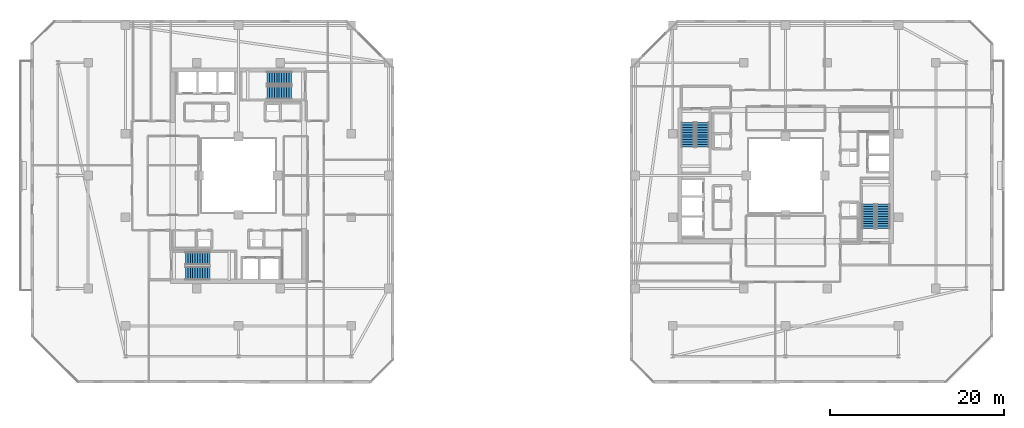
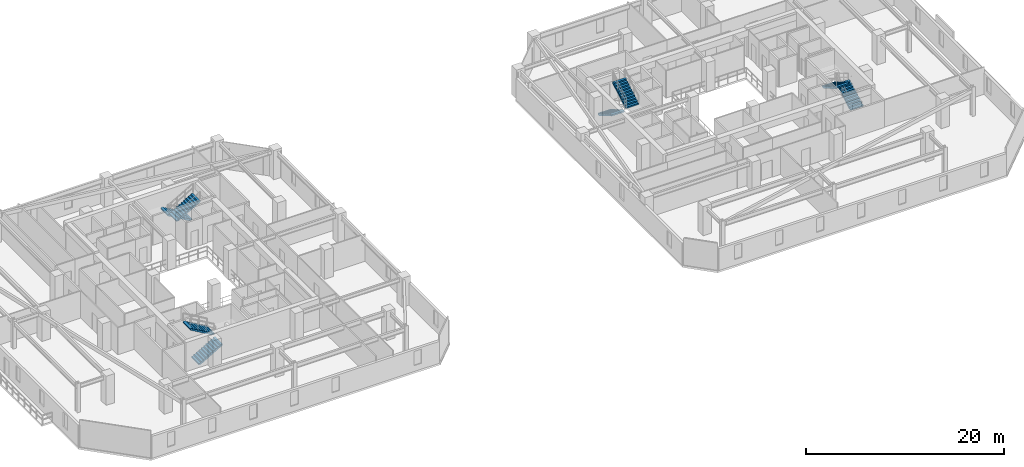
# One storey, part 26 of 32: 8 stair flights, 4 elements without a shape of their own.
"""IFC4 building model written with IfcOpenShell, lengths in metres."""

from ifc_helpers import new_model, si_unit, direction, frame, origin, place, context, subcontext, project, spatial, polyline, outline, extrude, material, type_object, element, aggregate, save


model = new_model("IFC4")

# Units and contexts
model_context = context("Model", 3, precision=1e-05, world=origin(), true_north=direction((0.0, 1.0)))
body_context = subcontext(model_context, "Body", "Model", "MODEL_VIEW")
ifc_project = project(units=[si_unit("LENGTHUNIT", "METRE"), si_unit("AREAUNIT", "SQUARE_METRE"), si_unit("VOLUMEUNIT", "CUBIC_METRE"), si_unit("PLANEANGLEUNIT", "RADIAN"), si_unit("MASSUNIT", "GRAM", prefix="KILO")], contexts=[model_context])

# Site, building, storey
site_placement = place(None, origin())
site = spatial("IfcSite", under=ifc_project, at=site_placement, CompositionType="ELEMENT")
building_placement = place(site_placement, origin())
building = spatial("IfcBuilding", under=site, at=building_placement, Name="Thornwick Lancets Civic Towers", CompositionType="ELEMENT")
storey_placement = place(building_placement, frame((0.0, 0.0, 240.300048828125)))
storey = spatial("IfcBuildingStorey", under=building, at=storey_placement, Name="L64", CompositionType="ELEMENT", Elevation=240.300048828125)

# Stair, stair flights
ifc_material = material(Name="Concrete C40/50", Category="concrete")
stair_type = type_object("IfcStairType", Name="STAIR_DL_3600", PredefinedType="HALF_TURN_STAIR", material=ifc_material)
stair_1_placement = place(storey_placement, origin())
stair_1 = element("IfcStair", 1, at=stair_1_placement, inside=storey, type_object=stair_type, Name="L64 Tower A South Exit Stair ST-A1", PredefinedType="HALF_TURN_STAIR")
stair_flight_type = type_object("IfcStairFlightType", Name="FLIGHT_3600", PredefinedType="STRAIGHT", material=ifc_material)
stair_flight_1_placement = place(storey_placement, frame((19.39990234375, 15.75, 0.0), z_axis=(0.0, 0.0, 1.0), x_axis=(1.0, 0.0, 0.0)))
stair_flight_1 = element("IfcStairFlight", 2, at=stair_flight_1_placement, type_object=stair_flight_type, Name="ST-A1 flight 1", NumberOfRisers=11, NumberOfTreads=10, PredefinedType="STRAIGHT", RiserHeight=0.163636364, TreadLength=0.28, context=body_context, shape_type="SweptSolid", body=[
    extrude(outline(polyline([(0.0, 0.0), (0.0, 0.16357421875), (0.280029296875, 0.16357421875), (0.280029296875, 0.327392578125), (0.56005859375, 0.327392578125), (0.56005859375, 0.490966796875), (0.840087890625, 0.490966796875), (0.840087890625, 0.654541015625), (1.1201171875, 0.654541015625), (1.1201171875, 0.818115234375), (1.39990234375, 0.818115234375), (1.39990234375, 0.98193359375), (1.679931640625, 0.98193359375), (1.679931640625, 1.1455078125), (1.9599609375, 1.1455078125), (1.9599609375, 1.30908203125), (2.239990234375, 1.30908203125), (2.239990234375, 1.47265625), (2.52001953125, 1.47265625), (2.52001953125, 1.636474609375), (2.800048828125, 1.636474609375), (2.800048828125, 1.800048828125), (2.800048828125, 1.462646484375), (0.297119140625, 0.0), (0.0, 0.0)])), frame((0.0, 0.75, 0.0), z_axis=(0.0, -1.0, 0.0), x_axis=(1.0, 0.0, 0.0)), (0.0, 0.0, 1.0), 1.5),
])
stair_flight_2_placement = place(storey_placement, frame((22.199951171875, 17.449951171875, 1.800048828125), z_axis=(0.0, 0.0, 1.0), x_axis=(-1.0, 0.0, 0.0)))
stair_flight_2 = element("IfcStairFlight", 3, at=stair_flight_2_placement, type_object=stair_flight_type, Name="ST-A1 flight 2", NumberOfRisers=11, NumberOfTreads=10, PredefinedType="STRAIGHT", RiserHeight=0.163636364, TreadLength=0.28, context=body_context, shape_type="SweptSolid", body=[
    extrude(outline(polyline([(0.0, 0.0), (0.0, 0.16357421875), (0.280029296875, 0.16357421875), (0.280029296875, 0.327392578125), (0.56005859375, 0.327392578125), (0.56005859375, 0.490966796875), (0.840087890625, 0.490966796875), (0.840087890625, 0.654541015625), (1.1201171875, 0.654541015625), (1.1201171875, 0.818115234375), (1.39990234375, 0.818115234375), (1.39990234375, 0.98193359375), (1.679931640625, 0.98193359375), (1.679931640625, 1.1455078125), (1.9599609375, 1.1455078125), (1.9599609375, 1.30908203125), (2.239990234375, 1.30908203125), (2.239990234375, 1.47265625), (2.52001953125, 1.47265625), (2.52001953125, 1.636474609375), (2.800048828125, 1.636474609375), (2.800048828125, 1.800048828125), (2.800048828125, 1.462646484375), (0.297119140625, 0.0), (0.0, 0.0)])), frame((0.0, 0.75, 0.0), z_axis=(0.0, -1.0, 0.0), x_axis=(1.0, 0.0, 0.0)), (0.0, 0.0, 1.0), 1.5),
])
aggregate(stair_1, [stair_flight_1, stair_flight_2])

stair_2_placement = place(storey_placement, origin())
stair_2 = element("IfcStair", 4, at=stair_2_placement, inside=storey, type_object=stair_type, Name="L64 Tower A North Exit Stair ST-A2", PredefinedType="HALF_TURN_STAIR")
stair_flight_3_placement = place(storey_placement, frame((31.60009765625, 38.25, 0.0), z_axis=(0.0, 0.0, 1.0), x_axis=(-1.0, 0.0, 0.0)))
stair_flight_3 = element("IfcStairFlight", 5, at=stair_flight_3_placement, type_object=stair_flight_type, Name="ST-A2 flight 1", NumberOfRisers=11, NumberOfTreads=10, PredefinedType="STRAIGHT", RiserHeight=0.163636364, TreadLength=0.28, context=body_context, shape_type="SweptSolid", body=[
    extrude(outline(polyline([(0.0, 0.0), (0.0, 0.16357421875), (0.280029296875, 0.16357421875), (0.280029296875, 0.327392578125), (0.56005859375, 0.327392578125), (0.56005859375, 0.490966796875), (0.840087890625, 0.490966796875), (0.840087890625, 0.654541015625), (1.1201171875, 0.654541015625), (1.1201171875, 0.818115234375), (1.39990234375, 0.818115234375), (1.39990234375, 0.98193359375), (1.679931640625, 0.98193359375), (1.679931640625, 1.1455078125), (1.9599609375, 1.1455078125), (1.9599609375, 1.30908203125), (2.239990234375, 1.30908203125), (2.239990234375, 1.47265625), (2.52001953125, 1.47265625), (2.52001953125, 1.636474609375), (2.800048828125, 1.636474609375), (2.800048828125, 1.800048828125), (2.800048828125, 1.462646484375), (0.297119140625, 0.0), (0.0, 0.0)])), frame((0.0, 0.75, 0.0), z_axis=(0.0, -1.0, 0.0), x_axis=(1.0, 0.0, 0.0)), (0.0, 0.0, 1.0), 1.5),
])
stair_flight_4_placement = place(storey_placement, frame((28.800048828125, 36.550048828125, 1.800048828125), z_axis=(0.0, 0.0, 1.0), x_axis=(1.0, 0.0, 0.0)))
stair_flight_4 = element("IfcStairFlight", 6, at=stair_flight_4_placement, type_object=stair_flight_type, Name="ST-A2 flight 2", NumberOfRisers=11, NumberOfTreads=10, PredefinedType="STRAIGHT", RiserHeight=0.163636364, TreadLength=0.28, context=body_context, shape_type="SweptSolid", body=[
    extrude(outline(polyline([(0.0, 0.0), (0.0, 0.16357421875), (0.280029296875, 0.16357421875), (0.280029296875, 0.327392578125), (0.56005859375, 0.327392578125), (0.56005859375, 0.490966796875), (0.840087890625, 0.490966796875), (0.840087890625, 0.654541015625), (1.1201171875, 0.654541015625), (1.1201171875, 0.818115234375), (1.39990234375, 0.818115234375), (1.39990234375, 0.98193359375), (1.679931640625, 0.98193359375), (1.679931640625, 1.1455078125), (1.9599609375, 1.1455078125), (1.9599609375, 1.30908203125), (2.239990234375, 1.30908203125), (2.239990234375, 1.47265625), (2.52001953125, 1.47265625), (2.52001953125, 1.636474609375), (2.800048828125, 1.636474609375), (2.800048828125, 1.800048828125), (2.800048828125, 1.462646484375), (0.297119140625, 0.0), (0.0, 0.0)])), frame((0.0, 0.75, 0.0), z_axis=(0.0, -1.0, 0.0), x_axis=(1.0, 0.0, 0.0)), (0.0, 0.0, 1.0), 1.5),
])
aggregate(stair_2, [stair_flight_3, stair_flight_4])

stair_3_placement = place(storey_placement, origin())
stair_3 = element("IfcStair", 7, at=stair_3_placement, inside=storey, type_object=stair_type, Name="L64 Tower B East Exit Stair ST-B1", PredefinedType="HALF_TURN_STAIR")
stair_flight_5_placement = place(storey_placement, frame((99.75, 20.89990234375, 0.0), z_axis=(0.0, 0.0, 1.0), x_axis=(0.0, 1.0, 0.0)))
stair_flight_5 = element("IfcStairFlight", 8, at=stair_flight_5_placement, type_object=stair_flight_type, Name="ST-B1 flight 1", NumberOfRisers=11, NumberOfTreads=10, PredefinedType="STRAIGHT", RiserHeight=0.163636364, TreadLength=0.28, context=body_context, shape_type="SweptSolid", body=[
    extrude(outline(polyline([(0.0, 0.0), (0.0, 0.16357421875), (0.280029296875, 0.16357421875), (0.280029296875, 0.327392578125), (0.56005859375, 0.327392578125), (0.56005859375, 0.490966796875), (0.840087890625, 0.490966796875), (0.840087890625, 0.654541015625), (1.1201171875, 0.654541015625), (1.1201171875, 0.818115234375), (1.39990234375, 0.818115234375), (1.39990234375, 0.98193359375), (1.679931640625, 0.98193359375), (1.679931640625, 1.1455078125), (1.9599609375, 1.1455078125), (1.9599609375, 1.30908203125), (2.239990234375, 1.30908203125), (2.239990234375, 1.47265625), (2.52001953125, 1.47265625), (2.52001953125, 1.636474609375), (2.800048828125, 1.636474609375), (2.800048828125, 1.800048828125), (2.800048828125, 1.462646484375), (0.297119140625, 0.0), (0.0, 0.0)])), frame((0.0, 0.75, 0.0), z_axis=(0.0, -1.0, 0.0), x_axis=(1.0, 0.0, 0.0)), (0.0, 0.0, 1.0), 1.5),
])
stair_flight_6_placement = place(storey_placement, frame((98.050048828125, 23.699951171875, 1.800048828125), z_axis=(0.0, 0.0, 1.0), x_axis=(0.0, -1.0, 0.0)))
stair_flight_6 = element("IfcStairFlight", 9, at=stair_flight_6_placement, type_object=stair_flight_type, Name="ST-B1 flight 2", NumberOfRisers=11, NumberOfTreads=10, PredefinedType="STRAIGHT", RiserHeight=0.163636364, TreadLength=0.28, context=body_context, shape_type="SweptSolid", body=[
    extrude(outline(polyline([(0.0, 0.0), (0.0, 0.16357421875), (0.280029296875, 0.16357421875), (0.280029296875, 0.327392578125), (0.56005859375, 0.327392578125), (0.56005859375, 0.490966796875), (0.840087890625, 0.490966796875), (0.840087890625, 0.654541015625), (1.1201171875, 0.654541015625), (1.1201171875, 0.818115234375), (1.39990234375, 0.818115234375), (1.39990234375, 0.98193359375), (1.679931640625, 0.98193359375), (1.679931640625, 1.1455078125), (1.9599609375, 1.1455078125), (1.9599609375, 1.30908203125), (2.239990234375, 1.30908203125), (2.239990234375, 1.47265625), (2.52001953125, 1.47265625), (2.52001953125, 1.636474609375), (2.800048828125, 1.636474609375), (2.800048828125, 1.800048828125), (2.800048828125, 1.462646484375), (0.297119140625, 0.0), (0.0, 0.0)])), frame((0.0, 0.75, 0.0), z_axis=(0.0, -1.0, 0.0), x_axis=(1.0, 0.0, 0.0)), (0.0, 0.0, 1.0), 1.5),
])
aggregate(stair_3, [stair_flight_5, stair_flight_6])

stair_4_placement = place(storey_placement, origin())
stair_4 = element("IfcStair", 10, at=stair_4_placement, inside=storey, type_object=stair_type, Name="L64 Tower B West Exit Stair ST-B2", PredefinedType="HALF_TURN_STAIR")
stair_flight_7_placement = place(storey_placement, frame((77.25, 33.10009765625, 0.0), z_axis=(0.0, 0.0, 1.0), x_axis=(0.0, -1.0, 0.0)))
stair_flight_7 = element("IfcStairFlight", 11, at=stair_flight_7_placement, type_object=stair_flight_type, Name="ST-B2 flight 1", NumberOfRisers=11, NumberOfTreads=10, PredefinedType="STRAIGHT", RiserHeight=0.163636364, TreadLength=0.28, context=body_context, shape_type="SweptSolid", body=[
    extrude(outline(polyline([(0.0, 0.0), (0.0, 0.16357421875), (0.280029296875, 0.16357421875), (0.280029296875, 0.327392578125), (0.56005859375, 0.327392578125), (0.56005859375, 0.490966796875), (0.840087890625, 0.490966796875), (0.840087890625, 0.654541015625), (1.1201171875, 0.654541015625), (1.1201171875, 0.818115234375), (1.39990234375, 0.818115234375), (1.39990234375, 0.98193359375), (1.679931640625, 0.98193359375), (1.679931640625, 1.1455078125), (1.9599609375, 1.1455078125), (1.9599609375, 1.30908203125), (2.239990234375, 1.30908203125), (2.239990234375, 1.47265625), (2.52001953125, 1.47265625), (2.52001953125, 1.636474609375), (2.800048828125, 1.636474609375), (2.800048828125, 1.800048828125), (2.800048828125, 1.462646484375), (0.297119140625, 0.0), (0.0, 0.0)])), frame((0.0, 0.75, 0.0), z_axis=(0.0, -1.0, 0.0), x_axis=(1.0, 0.0, 0.0)), (0.0, 0.0, 1.0), 1.5),
])
stair_flight_8_placement = place(storey_placement, frame((78.949951171875, 30.300048828125, 1.800048828125), z_axis=(0.0, 0.0, 1.0), x_axis=(0.0, 1.0, 0.0)))
stair_flight_8 = element("IfcStairFlight", 12, at=stair_flight_8_placement, type_object=stair_flight_type, Name="ST-B2 flight 2", NumberOfRisers=11, NumberOfTreads=10, PredefinedType="STRAIGHT", RiserHeight=0.163636364, TreadLength=0.28, context=body_context, shape_type="SweptSolid", body=[
    extrude(outline(polyline([(0.0, 0.0), (0.0, 0.16357421875), (0.280029296875, 0.16357421875), (0.280029296875, 0.327392578125), (0.56005859375, 0.327392578125), (0.56005859375, 0.490966796875), (0.840087890625, 0.490966796875), (0.840087890625, 0.654541015625), (1.1201171875, 0.654541015625), (1.1201171875, 0.818115234375), (1.39990234375, 0.818115234375), (1.39990234375, 0.98193359375), (1.679931640625, 0.98193359375), (1.679931640625, 1.1455078125), (1.9599609375, 1.1455078125), (1.9599609375, 1.30908203125), (2.239990234375, 1.30908203125), (2.239990234375, 1.47265625), (2.52001953125, 1.47265625), (2.52001953125, 1.636474609375), (2.800048828125, 1.636474609375), (2.800048828125, 1.800048828125), (2.800048828125, 1.462646484375), (0.297119140625, 0.0), (0.0, 0.0)])), frame((0.0, 0.75, 0.0), z_axis=(0.0, -1.0, 0.0), x_axis=(1.0, 0.0, 0.0)), (0.0, 0.0, 1.0), 1.5),
])
aggregate(stair_4, [stair_flight_7, stair_flight_8])

save(model, "model.ifc")
